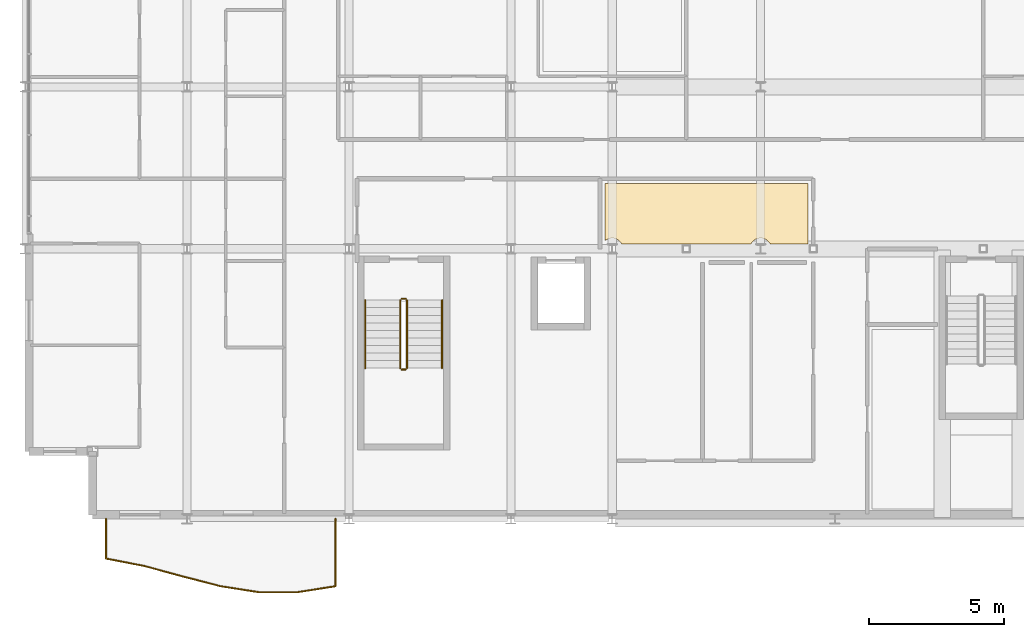
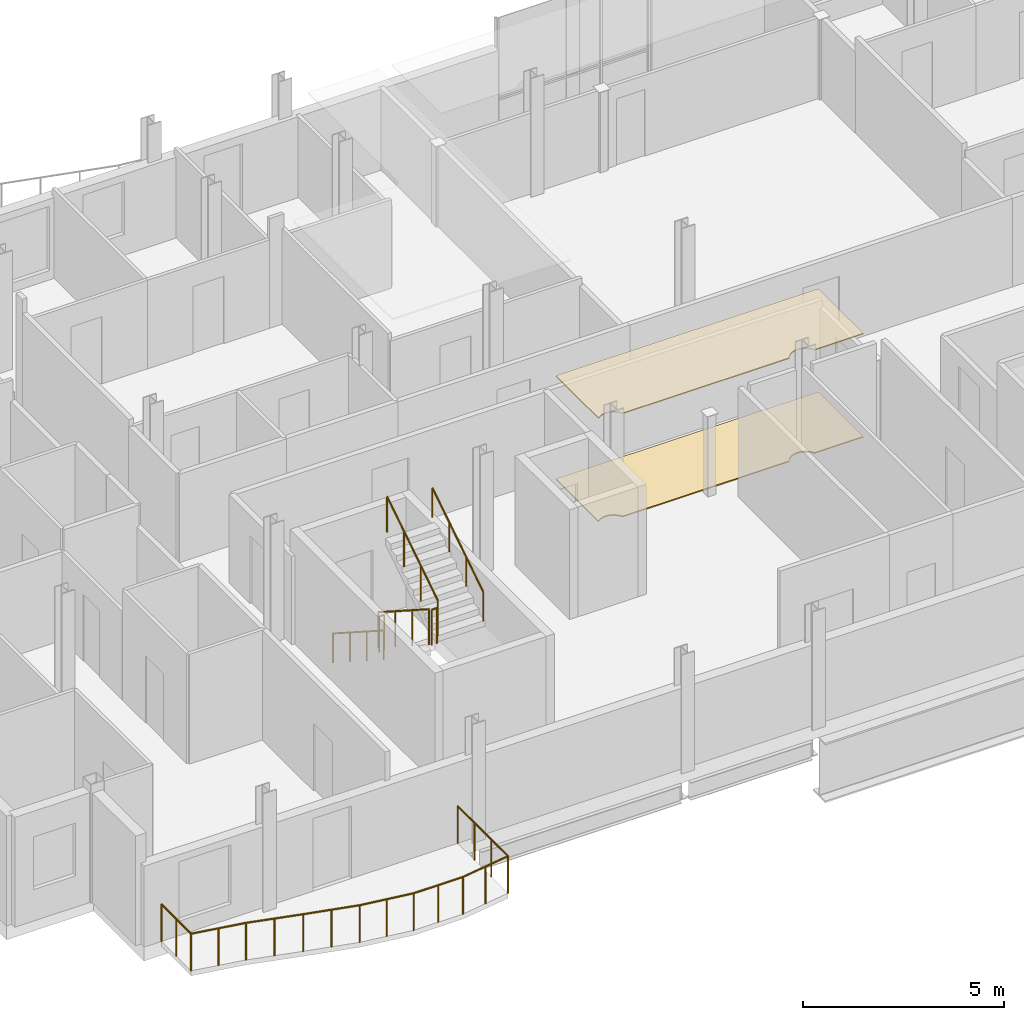
# One storey, part 32 of 35: 7 railings, 2 coverings.
"""IFC4 building model written with IfcOpenShell, lengths in metres."""

import ifcopenshell
import ifcopenshell.guid

model = None  # the IFC model being written
_history = None  # IfcOwnerHistory: only IFC2X3 demands one
_inside = {}  # id of a spatial element -> (the spatial element, [elements in it])
_under = {}  # id of a project, library or spatial element -> (it, [spatial elements below it])
_declared = {}  # id of a project -> (the project, [libraries it declares])
_typed = {}  # id of a type object -> (the type object, [elements of that type])
_made_of = {}  # id of a material, layer set ... -> (it, [elements and type objects made of it])


def new_model(schema):
    """Start an empty IFC model of exactly this schema.

    Asked for "IFC4X3", IfcOpenShell would pick the latest addendum, in which some entities
    have other attributes; the version numbers below select the first issue.
    IFC2X3 requires an IfcOwnerHistory on every rooted entity: one is made here for all.
    """
    global model, _history
    if schema == "IFC4X3":
        model = ifcopenshell.file(schema_version=(4, 3, 0, 0))
    else:
        model = ifcopenshell.file(schema=schema)
    _inside.clear()
    _under.clear()
    _declared.clear()
    _typed.clear()
    _made_of.clear()
    _history = None
    if model.schema == "IFC2X3":
        org = make("IfcOrganization", Name="unknown")
        user = make(
            "IfcPersonAndOrganization",
            ThePerson=make("IfcPerson", FamilyName="unknown"),
            TheOrganization=org,
        )
        app = make(
            "IfcApplication",
            ApplicationDeveloper=org,
            Version="unknown",
            ApplicationFullName="unknown",
            ApplicationIdentifier="unknown",
        )
        _history = make(
            "IfcOwnerHistory",
            OwningUser=user,
            OwningApplication=app,
            ChangeAction="ADDED",
            CreationDate=0,
        )
    return model


def make(cls, **values):
    """One entity of the class cls with the attributes given. An attribute that is None is left unset."""
    return model.create_entity(
        cls, **{name: value for name, value in values.items() if value is not None}
    )


def rooted(cls, **values):
    """An entity with a GlobalId (a new one), such as an element, a storey or a relation."""
    return make(cls, GlobalId=ifcopenshell.guid.new(), OwnerHistory=_history, **values)


def si_unit(unit_type, name, prefix=None):
    """IfcSIUnit, for example si_unit("LENGTHUNIT", "METRE", prefix="MILLI")."""
    return make("IfcSIUnit", UnitType=unit_type, Prefix=prefix, Name=name)


def assignment(units):
    """IfcUnitAssignment: the units of a project."""
    return None if units is None else make("IfcUnitAssignment", Units=units)


def point(xyz):
    """IfcCartesianPoint."""
    return None if xyz is None else make("IfcCartesianPoint", Coordinates=xyz)


def direction(xyz):
    """IfcDirection."""
    return None if xyz is None else make("IfcDirection", DirectionRatios=xyz)


def frame(location, z_axis=None, x_axis=None):
    """IfcAxis2Placement3D, a coordinate frame: its origin and axes. An axis left out is left unset."""
    return make(
        "IfcAxis2Placement3D",
        Location=point(location),
        Axis=direction(z_axis),
        RefDirection=direction(x_axis),
    )


def frame_2d(location, x_axis=None):
    """IfcAxis2Placement2D, a coordinate frame in the plane: its origin and x axis."""
    return make(
        "IfcAxis2Placement2D", Location=point(location), RefDirection=direction(x_axis)
    )


def origin():
    """The frame at (0, 0, 0) with its axes left unset."""
    return frame((0.0, 0.0, 0.0))


def origin_2d():
    """The frame at (0, 0) in the plane with its x axis left unset."""
    return frame_2d((0.0, 0.0))


def place(relative_to, where):
    """IfcLocalPlacement: puts the frame where relative to a parent placement (None: the world)."""
    return make(
        "IfcLocalPlacement", PlacementRelTo=relative_to, RelativePlacement=where
    )


def context(
    kind, dimensions, precision=None, world=None, true_north=None, identifier=None
):
    """IfcGeometricRepresentationContext, for example the 3D "Model" context."""
    return make(
        "IfcGeometricRepresentationContext",
        ContextIdentifier=identifier,
        ContextType=kind,
        CoordinateSpaceDimension=dimensions,
        Precision=precision,
        WorldCoordinateSystem=world,
        TrueNorth=true_north,
    )


def subcontext(parent, identifier, kind, view, scale=None):
    """IfcGeometricRepresentationSubContext, for example "Body" below "Model"."""
    return make(
        "IfcGeometricRepresentationSubContext",
        ContextIdentifier=identifier,
        ContextType=kind,
        ParentContext=parent,
        TargetScale=scale,
        TargetView=view,
    )


def project(units=None, contexts=None):
    """IfcProject with its units and contexts."""
    return rooted(
        "IfcProject",
        Name="project",
        RepresentationContexts=contexts,
        UnitsInContext=assignment(units),
    )


def spatial(cls, under=None, at=None, **own):
    """A site, building, storey or space (cls), placed at a placement, below another one or the project."""
    s = rooted(cls, ObjectPlacement=at, **own)
    if under is not None:
        _under.setdefault(under.id(), (under, []))[1].append(s)
    return s


def polyline(points):
    """IfcPolyline through the points."""
    return make("IfcPolyline", Points=[point(p) for p in points])


def profile(cls, at=None, kind="AREA", **sizes):
    """A parametric profile (cls). Its sizes go by their IFC names, for example OverallWidth=200.0."""
    return make(cls, ProfileType=kind, Position=at, **sizes)


def circle(**sizes):
    """IfcCircleProfileDef."""
    return profile("IfcCircleProfileDef", **sizes)


def outline(outer, holes=None, kind="AREA"):
    """IfcArbitraryClosedProfileDef: a profile drawn as a closed curve; with holes, ...WithVoids."""
    if holes is None:
        return make("IfcArbitraryClosedProfileDef", ProfileType=kind, OuterCurve=outer)
    return make(
        "IfcArbitraryProfileDefWithVoids",
        ProfileType=kind,
        OuterCurve=outer,
        InnerCurves=holes,
    )


def extrude(swept, where, along, depth):
    """IfcExtrudedAreaSolid: the profile swept, set in the frame where, extruded along a direction by depth."""
    return make(
        "IfcExtrudedAreaSolid",
        SweptArea=swept,
        Position=where,
        ExtrudedDirection=direction(along),
        Depth=depth,
    )


def shape(context_of_items, identifier, shape_type, items):
    """IfcShapeRepresentation: the items that make up one representation, for example the "Body"."""
    return make(
        "IfcShapeRepresentation",
        ContextOfItems=context_of_items,
        RepresentationIdentifier=identifier,
        RepresentationType=shape_type,
        Items=items,
    )


def material(Name=None, Category=None):
    """IfcMaterial."""
    return make("IfcMaterial", Name=Name, Category=Category)


def layer(
    of_material, thickness, ventilated=None, Name=None, Category=None, Priority=None
):
    """IfcMaterialLayer: one layer of a wall or slab, of a material (None: an air gap)."""
    return make(
        "IfcMaterialLayer",
        Material=of_material,
        LayerThickness=thickness,
        IsVentilated=ventilated,
        Name=Name,
        Category=Category,
        Priority=Priority,
    )


def layer_set(layers, Name=None):
    """IfcMaterialLayerSet."""
    return make("IfcMaterialLayerSet", MaterialLayers=layers, LayerSetName=Name)


def made_of(thing, what):
    """Note that an element or type object is made of a material, layer set ...; save() writes the relation."""
    if what is not None:
        _made_of.setdefault(what.id(), (what, []))[1].append(thing)
    return thing


def type_object(cls, material=None, **own):
    """A type object (cls), such as IfcWallType, which elements share."""
    return made_of(rooted(cls, **own), material)


def element(
    cls,
    number,
    at=None,
    inside=None,
    cuts=None,
    type_object=None,
    material=None,
    context=None,
    identifier="Body",
    shape_type=None,
    held_by="IfcProductDefinitionShape",
    body=None,
    shapes=None,
    **own,
):
    """One element of the class cls, such as IfcWall. Its Tag is "e" and its number.

    at: its placement. inside: the storey or other place that contains it. cuts: it is an
    opening in that element (IfcRelVoidsElement). A single representation is given by context,
    identifier, shape_type and body (its items); several are given by shapes. held_by: the class
    of the entity that holds the representations. save() writes the other relations.
    """
    e = rooted(cls, Tag="e%d" % number, ObjectPlacement=at, **own)
    if body is not None:
        shapes = [shape(context, identifier, shape_type, body)]
    if shapes is not None:
        e.Representation = make(held_by, Representations=shapes)
    if inside is not None:
        _inside.setdefault(inside.id(), (inside, []))[1].append(e)
    if cuts is not None:
        rooted(
            "IfcRelVoidsElement", RelatingBuildingElement=cuts, RelatedOpeningElement=e
        )
    if type_object is not None:
        _typed.setdefault(type_object.id(), (type_object, []))[1].append(e)
    return made_of(e, material)


def aggregate(whole, parts):
    """IfcRelAggregates: a whole, such as a stair, and the parts it consists of."""
    return rooted("IfcRelAggregates", RelatingObject=whole, RelatedObjects=parts)


def save(model, path):
    """Write the relations noted so far, then the file.

    IfcRelAggregates (storeys below a building ...), IfcRelContainedInSpatialStructure (elements
    in a storey), IfcRelDefinesByType, IfcRelAssociatesMaterial and IfcRelDeclares: one each for
    every whole, place, type object, material and project.
    """
    for whole, parts in _under.values():
        aggregate(whole, parts)
    for where, things in _inside.values():
        rooted(
            "IfcRelContainedInSpatialStructure",
            RelatedElements=things,
            RelatingStructure=where,
        )
    for kind, things in _typed.values():
        rooted("IfcRelDefinesByType", RelatedObjects=things, RelatingType=kind)
    for what, things in _made_of.values():
        rooted("IfcRelAssociatesMaterial", RelatedObjects=things, RelatingMaterial=what)
    for by, libraries in _declared.values():
        rooted("IfcRelDeclares", RelatingContext=by, RelatedDefinitions=libraries)
    model.write(path)


model = new_model("IFC4")

# Units and contexts
model_context = context("Model", 3, precision=1e-05, world=origin(), true_north=direction((0.0, 1.0)))
body_context = subcontext(model_context, "Body", "Model", "MODEL_VIEW")
ifc_project = project(units=[si_unit("LENGTHUNIT", "METRE"), si_unit("AREAUNIT", "SQUARE_METRE"), si_unit("VOLUMEUNIT", "CUBIC_METRE"), si_unit("PLANEANGLEUNIT", "RADIAN"), si_unit("MASSUNIT", "GRAM", prefix="KILO")], contexts=[model_context])

# Site, building, storey
site_placement = place(None, origin())
site = spatial("IfcSite", under=ifc_project, at=site_placement, CompositionType="ELEMENT")
building_placement = place(site_placement, origin())
building = spatial("IfcBuilding", under=site, at=building_placement, Name="Brevholm Reach", CompositionType="ELEMENT")
storey_placement = place(building_placement, frame((0.0, 0.0, 214.39990234375)))
storey = spatial("IfcBuildingStorey", under=building, at=storey_placement, Name="L65", CompositionType="ELEMENT", Elevation=214.39990234375)

# Coverings
ifc_material_1 = material(Name="Moisture-Resistant Skimmed Gypsum Plasterboard Ceiling", Category="gypsum")
ifc_layer_1 = layer(ifc_material_1, 0.030029296875)
ifc_layer_set_1 = layer_set([ifc_layer_1], Name="Moisture-Resistant Skimmed Gypsum Plasterboard Ceiling")
covering_type_1 = type_object("IfcCoveringType", Name="COV-CLG-GYP", PredefinedType="CEILING", material=ifc_layer_set_1)
covering_1_placement = place(storey_placement, frame((0.0, 0.0, 3.130126953125)))
element("IfcCovering", 1, at=covering_1_placement, inside=storey, type_object=covering_type_1, Name="L65 Suspended Ceiling L65-38", PredefinedType="CEILING", context=body_context, shape_type="SweptSolid", body=[
    extrude(outline(polyline([(27.606689453125, 10.179931640625), (27.602783203125, 10.188720703125), (27.58251953125, 10.22216796875), (27.55908203125, 10.25390625), (27.53271484375, 10.28271484375), (27.50390625, 10.30908203125), (27.47216796875, 10.33251953125), (27.438720703125, 10.352783203125), (27.403076171875, 10.36962890625), (27.3662109375, 10.3828125), (27.327880859375, 10.392333984375), (27.289306640625, 10.398193359375), (27.25, 10.39990234375), (27.210693359375, 10.398193359375), (27.172119140625, 10.392333984375), (27.1337890625, 10.3828125), (27.096923828125, 10.36962890625), (27.061279296875, 10.352783203125), (27.02783203125, 10.33251953125), (26.99609375, 10.30908203125), (26.96728515625, 10.28271484375), (26.94091796875, 10.25390625), (26.91748046875, 10.22216796875), (26.897216796875, 10.188720703125), (26.893310546875, 10.179931640625), (22.106689453125, 10.179931640625), (22.102783203125, 10.188720703125), (22.08251953125, 10.22216796875), (22.05908203125, 10.25390625), (22.03271484375, 10.28271484375), (22.00390625, 10.30908203125), (21.97216796875, 10.33251953125), (21.938720703125, 10.352783203125), (21.903076171875, 10.36962890625), (21.8662109375, 10.3828125), (21.827880859375, 10.392333984375), (21.789306640625, 10.398193359375), (21.75, 10.39990234375), (21.710693359375, 10.398193359375), (21.672119140625, 10.392333984375), (21.6337890625, 10.3828125), (21.596923828125, 10.36962890625), (21.561279296875, 10.352783203125), (21.52783203125, 10.33251953125), (21.49609375, 10.30908203125), (21.48388671875, 10.298095703125), (21.48388671875, 12.416015625), (29.01611328125, 12.416015625), (29.01611328125, 10.179931640625), (27.606689453125, 10.179931640625)])), origin(), (0.0, 0.0, 1.0), 0.030029296875),
])
ifc_material_2 = material(Name="Honed Portland-Aggregate Resin Terrazzo Flooring", Category="concrete")
ifc_layer_2 = layer(ifc_material_2, 0.031982421875)
ifc_layer_set_2 = layer_set([ifc_layer_2], Name="Honed Portland-Aggregate Resin Terrazzo Flooring")
covering_type_2 = type_object("IfcCoveringType", Name="COV-FLR-TRZ", PredefinedType="FLOORING", material=ifc_layer_set_2)
covering_2_placement = place(storey_placement, origin())
element("IfcCovering", 2, at=covering_2_placement, inside=storey, type_object=covering_type_2, Name="L65 Floor Finish L65-38", PredefinedType="FLOORING", context=body_context, shape_type="SweptSolid", body=[
    extrude(outline(polyline([(27.606689453125, 10.179931640625), (27.602783203125, 10.188720703125), (27.58251953125, 10.22216796875), (27.55908203125, 10.25390625), (27.53271484375, 10.28271484375), (27.50390625, 10.30908203125), (27.47216796875, 10.33251953125), (27.438720703125, 10.352783203125), (27.403076171875, 10.36962890625), (27.3662109375, 10.3828125), (27.327880859375, 10.392333984375), (27.289306640625, 10.398193359375), (27.25, 10.39990234375), (27.210693359375, 10.398193359375), (27.172119140625, 10.392333984375), (27.1337890625, 10.3828125), (27.096923828125, 10.36962890625), (27.061279296875, 10.352783203125), (27.02783203125, 10.33251953125), (26.99609375, 10.30908203125), (26.96728515625, 10.28271484375), (26.94091796875, 10.25390625), (26.91748046875, 10.22216796875), (26.897216796875, 10.188720703125), (26.893310546875, 10.179931640625), (22.106689453125, 10.179931640625), (22.102783203125, 10.188720703125), (22.08251953125, 10.22216796875), (22.05908203125, 10.25390625), (22.03271484375, 10.28271484375), (22.00390625, 10.30908203125), (21.97216796875, 10.33251953125), (21.938720703125, 10.352783203125), (21.903076171875, 10.36962890625), (21.8662109375, 10.3828125), (21.827880859375, 10.392333984375), (21.789306640625, 10.398193359375), (21.75, 10.39990234375), (21.710693359375, 10.398193359375), (21.672119140625, 10.392333984375), (21.6337890625, 10.3828125), (21.596923828125, 10.36962890625), (21.561279296875, 10.352783203125), (21.52783203125, 10.33251953125), (21.49609375, 10.30908203125), (21.48388671875, 10.298095703125), (21.48388671875, 12.416015625), (29.01611328125, 12.416015625), (29.01611328125, 10.179931640625), (27.606689453125, 10.179931640625)])), origin(), (0.0, 0.0, 1.0), 0.031982421875),
])

# Railings
ifc_material_3 = material(Name="Brushed Stainless Steel EN 1.4401 and Laminated Glass", Category="steel")
railing_type_1 = type_object("IfcRailingType", Name="RAL-BALC-1150", PredefinedType="BALUSTRADE", material=ifc_material_3)
railing_1_placement = place(storey_placement, frame((3.0, 0.0, 0.0)))
element("IfcRailing", 3, at=railing_1_placement, inside=storey, type_object=railing_type_1, Name="L65 Guard Balustrade RAL-L65-BAL-SW", PredefinedType="BALUSTRADE", context=body_context, shape_type="SweptSolid", body=[
    extrude(circle(Radius=0.02392578125, at=origin_2d()), frame((0.0, 0.0, 1.1259765625), z_axis=(0.0, -1.0, 0.0), x_axis=(1.0, 0.0, 0.0)), (0.0, 0.0, 1.0), 1.4736328125),
    extrude(circle(Radius=0.02392578125, at=origin_2d()), frame((0.0, -1.4736328125, 1.1259765625), z_axis=(0.981784941083, -0.189995603797, 0.0), x_axis=(0.189995603797, 0.981784941083, 0.0)), (0.0, 0.0, 1.0), 1.443115234375),
    extrude(circle(Radius=0.02392578125, at=origin_2d()), frame((1.416748046875, -1.747802734375, 1.1259765625), z_axis=(0.964821360478, -0.262906337628, 0.0), x_axis=(0.262906337628, 0.964821360478, 0.0)), (0.0, 0.0, 1.0), 1.46826171875),
    extrude(circle(Radius=0.02392578125, at=origin_2d()), frame((2.833251953125, -2.1337890625, 1.1259765625), z_axis=(0.968218696825, -0.250105088151, 0.0), x_axis=(0.250105088151, 0.968218696825, 0.0)), (0.0, 0.0, 1.0), 1.463134765625),
    extrude(circle(Radius=0.02392578125, at=origin_2d()), frame((4.25, -2.499755859375, 1.1259765625), z_axis=(0.988082538492, -0.153924972393, 0.0), x_axis=(0.153924972393, 0.988082538492, 0.0)), (0.0, 0.0, 1.0), 1.433837890625),
    extrude(circle(Radius=0.02392578125, at=origin_2d()), frame((5.666748046875, -2.720458984375, 1.1259765625), z_axis=(1.0, 0.0, 0.0), x_axis=(0.0, 1.0, 0.0)), (0.0, 0.0, 1.0), 1.41650390625),
    extrude(circle(Radius=0.02392578125, at=origin_2d()), frame((7.083251953125, -2.720458984375, 1.1259765625), z_axis=(0.988082538492, 0.153924972393, 0.0), x_axis=(-0.153924972393, 0.988082538492, 0.0)), (0.0, 0.0, 1.0), 1.433837890625),
    extrude(circle(Radius=0.02392578125, at=origin_2d()), frame((8.5, -2.499755859375, 1.1259765625), z_axis=(0.0, 1.0, 0.0), x_axis=(-1.0, 0.0, 0.0)), (0.0, 0.0, 1.0), 2.499755859375),
    extrude(circle(Radius=0.02099609375, at=origin_2d()), origin(), (0.0, 0.0, 1.0), 1.101806640625),
    extrude(circle(Radius=0.02099609375, at=origin_2d()), frame((0.0, -0.73681640625, 0.0)), (0.0, 0.0, 1.0), 1.101806640625),
    extrude(circle(Radius=0.02099609375, at=origin_2d()), frame((0.0, -1.4736328125, 0.0)), (0.0, 0.0, 1.0), 1.101806640625),
    extrude(circle(Radius=0.02099609375, at=origin_2d()), frame((0.70849609375, -1.61083984375, 0.0)), (0.0, 0.0, 1.0), 1.101806640625),
    extrude(circle(Radius=0.02099609375, at=origin_2d()), frame((1.416748046875, -1.747802734375, 0.0)), (0.0, 0.0, 1.0), 1.101806640625),
    extrude(circle(Radius=0.02099609375, at=origin_2d()), frame((2.125, -1.94091796875, 0.0)), (0.0, 0.0, 1.0), 1.101806640625),
    extrude(circle(Radius=0.02099609375, at=origin_2d()), frame((2.833251953125, -2.1337890625, 0.0)), (0.0, 0.0, 1.0), 1.101806640625),
    extrude(circle(Radius=0.02099609375, at=origin_2d()), frame((3.54150390625, -2.31689453125, 0.0)), (0.0, 0.0, 1.0), 1.101806640625),
    extrude(circle(Radius=0.02099609375, at=origin_2d()), frame((4.25, -2.499755859375, 0.0)), (0.0, 0.0, 1.0), 1.101806640625),
    extrude(circle(Radius=0.02099609375, at=origin_2d()), frame((4.95849609375, -2.610107421875, 0.0)), (0.0, 0.0, 1.0), 1.101806640625),
    extrude(circle(Radius=0.02099609375, at=origin_2d()), frame((5.666748046875, -2.720458984375, 0.0)), (0.0, 0.0, 1.0), 1.101806640625),
    extrude(circle(Radius=0.02099609375, at=origin_2d()), frame((6.375, -2.720458984375, 0.0)), (0.0, 0.0, 1.0), 1.101806640625),
    extrude(circle(Radius=0.02099609375, at=origin_2d()), frame((7.083251953125, -2.720458984375, 0.0)), (0.0, 0.0, 1.0), 1.101806640625),
    extrude(circle(Radius=0.02099609375, at=origin_2d()), frame((7.79150390625, -2.610107421875, 0.0)), (0.0, 0.0, 1.0), 1.101806640625),
    extrude(circle(Radius=0.02099609375, at=origin_2d()), frame((8.5, -2.499755859375, 0.0)), (0.0, 0.0, 1.0), 1.101806640625),
    extrude(circle(Radius=0.02099609375, at=origin_2d()), frame((8.5, -1.66650390625, 0.0)), (0.0, 0.0, 1.0), 1.101806640625),
    extrude(circle(Radius=0.02099609375, at=origin_2d()), frame((8.5, -0.833251953125, 0.0)), (0.0, 0.0, 1.0), 1.101806640625),
    extrude(circle(Radius=0.02099609375, at=origin_2d()), frame((8.5, 0.0, 0.0)), (0.0, 0.0, 1.0), 1.101806640625),
])
ifc_material_4 = material(Name="Brushed Stainless Steel EN 1.4401 Continuous Handrail", Category="steel")
railing_type_2 = type_object("IfcRailingType", Name="RAL-HND-950", PredefinedType="HANDRAIL", material=ifc_material_4)
railing_2_placement = place(storey_placement, frame((12.60009765625, 8.10009765625, 0.18017578125)))
element("IfcRailing", 4, at=railing_2_placement, inside=storey, type_object=railing_type_2, Name="L65 ST-1 stair handrail 1", PredefinedType="HANDRAIL", context=body_context, shape_type="SweptSolid", body=[
    extrude(circle(Radius=0.02392578125, at=origin_2d()), frame((0.0, 0.0, 0.8857421875), z_axis=(0.0, -0.841199657755, 0.540724639528), x_axis=(1.0, 0.0, 0.0)), (0.0, 0.0, 1.0), 2.995849609375),
    extrude(circle(Radius=0.02099609375, at=origin_2d()), origin(), (0.0, 0.0, 1.0), 0.86181640625),
    extrude(circle(Radius=0.02099609375, at=origin_2d()), frame((0.0, -0.840087890625, 0.5400390625)), (0.0, 0.0, 1.0), 0.86181640625),
    extrude(circle(Radius=0.02099609375, at=origin_2d()), frame((0.0, -1.679931640625, 1.079833984375)), (0.0, 0.0, 1.0), 0.86181640625),
    extrude(circle(Radius=0.02099609375, at=origin_2d()), frame((0.0, -2.52001953125, 1.619873046875)), (0.0, 0.0, 1.0), 0.86181640625),
])
railing_3_placement = place(storey_placement, frame((15.449951171875, 5.580078125, 1.97998046875)))
element("IfcRailing", 5, at=railing_3_placement, inside=storey, type_object=railing_type_2, Name="L65 ST-1 stair handrail 2", PredefinedType="HANDRAIL", context=body_context, shape_type="SweptSolid", body=[
    extrude(circle(Radius=0.02392578125, at=origin_2d()), frame((0.0, 0.0, 0.8857421875), z_axis=(0.0, 0.841162588446, 0.540782303519), x_axis=(-1.0, 0.0, 0.0)), (0.0, 0.0, 1.0), 2.995849609375),
    extrude(circle(Radius=0.02099609375, at=origin_2d()), origin(), (0.0, 0.0, 1.0), 0.86181640625),
    extrude(circle(Radius=0.02099609375, at=origin_2d()), frame((0.0, 0.840087890625, 0.5400390625)), (0.0, 0.0, 1.0), 0.86181640625),
    extrude(circle(Radius=0.02099609375, at=origin_2d()), frame((0.0, 1.679931640625, 1.080078125)), (0.0, 0.0, 1.0), 0.86181640625),
    extrude(circle(Radius=0.02099609375, at=origin_2d()), frame((0.0, 2.52001953125, 1.6201171875)), (0.0, 0.0, 1.0), 0.86181640625),
])
ifc_material_5 = material(Name="Painted Tubular Galvanised Steel S275JR Stair Guard", Category="steel")
railing_type_3 = type_object("IfcRailingType", Name="RAL-STG-1120", PredefinedType="BALUSTRADE", material=ifc_material_5)
railing_4_placement = place(storey_placement, frame((13.89990234375, 8.10009765625, 0.18017578125)))
element("IfcRailing", 6, at=railing_4_placement, inside=storey, type_object=railing_type_3, Name="L65 ST-1 stair guard 1", PredefinedType="BALUSTRADE", context=body_context, shape_type="SweptSolid", body=[
    extrude(circle(Radius=0.02392578125, at=origin_2d()), frame((0.0, 0.0, 1.076171875), z_axis=(0.0, -0.841199657755, 0.540724639528), x_axis=(1.0, 0.0, 0.0)), (0.0, 0.0, 1.0), 2.995849609375),
    extrude(circle(Radius=0.02099609375, at=origin_2d()), origin(), (0.0, 0.0, 1.0), 1.052001953125),
    extrude(circle(Radius=0.02099609375, at=origin_2d()), frame((0.0, -0.840087890625, 0.5400390625)), (0.0, 0.0, 1.0), 1.052001953125),
    extrude(circle(Radius=0.02099609375, at=origin_2d()), frame((0.0, -1.679931640625, 1.079833984375)), (0.0, 0.0, 1.0), 1.052001953125),
    extrude(circle(Radius=0.02099609375, at=origin_2d()), frame((0.0, -2.52001953125, 1.619873046875)), (0.0, 0.0, 1.0), 1.052001953125),
])
railing_5_placement = place(storey_placement, frame((13.949951171875, 5.530029296875, 1.800048828125)))
element("IfcRailing", 7, at=railing_5_placement, inside=storey, type_object=railing_type_3, Name="L65 ST-1 stair guard 2", PredefinedType="BALUSTRADE", context=body_context, shape_type="SweptSolid", body=[
    extrude(circle(Radius=0.02392578125, at=origin_2d()), frame((0.0, 0.0, 1.076171875), z_axis=(1.0, 0.0, 0.0), x_axis=(0.0, 1.0, 0.0)), (0.0, 0.0, 1.0), 0.150146484375),
    extrude(circle(Radius=0.02099609375, at=origin_2d()), origin(), (0.0, 0.0, 1.0), 1.052001953125),
    extrude(circle(Radius=0.02099609375, at=origin_2d()), frame((0.150146484375, 0.0, 0.0)), (0.0, 0.0, 1.0), 1.052001953125),
])
railing_6_placement = place(storey_placement, frame((14.14990234375, 5.580078125, 1.97998046875)))
element("IfcRailing", 8, at=railing_6_placement, inside=storey, type_object=railing_type_3, Name="L65 ST-1 stair guard 3", PredefinedType="BALUSTRADE", context=body_context, shape_type="SweptSolid", body=[
    extrude(circle(Radius=0.02392578125, at=origin_2d()), frame((0.0, 0.0, 1.076171875), z_axis=(0.0, 0.841162588446, 0.540782303519), x_axis=(-1.0, 0.0, 0.0)), (0.0, 0.0, 1.0), 2.995849609375),
    extrude(circle(Radius=0.02099609375, at=origin_2d()), origin(), (0.0, 0.0, 1.0), 1.052001953125),
    extrude(circle(Radius=0.02099609375, at=origin_2d()), frame((0.0, 0.840087890625, 0.5400390625)), (0.0, 0.0, 1.0), 1.052001953125),
    extrude(circle(Radius=0.02099609375, at=origin_2d()), frame((0.0, 1.679931640625, 1.080078125)), (0.0, 0.0, 1.0), 1.052001953125),
    extrude(circle(Radius=0.02099609375, at=origin_2d()), frame((0.0, 2.52001953125, 1.6201171875)), (0.0, 0.0, 1.0), 1.052001953125),
])
railing_7_placement = place(storey_placement, frame((13.949951171875, 8.14990234375, 0.0)))
element("IfcRailing", 9, at=railing_7_placement, inside=storey, type_object=railing_type_3, Name="L65 ST-1 stair guard 4", PredefinedType="BALUSTRADE", context=body_context, shape_type="SweptSolid", body=[
    extrude(circle(Radius=0.02392578125, at=origin_2d()), frame((0.0, 0.0, 1.076171875), z_axis=(1.0, 0.0, 0.0), x_axis=(0.0, 1.0, 0.0)), (0.0, 0.0, 1.0), 0.150146484375),
    extrude(circle(Radius=0.02099609375, at=origin_2d()), origin(), (0.0, 0.0, 1.0), 1.052001953125),
    extrude(circle(Radius=0.02099609375, at=origin_2d()), frame((0.150146484375, 0.0, 0.0)), (0.0, 0.0, 1.0), 1.052001953125),
])

save(model, "model.ifc")
